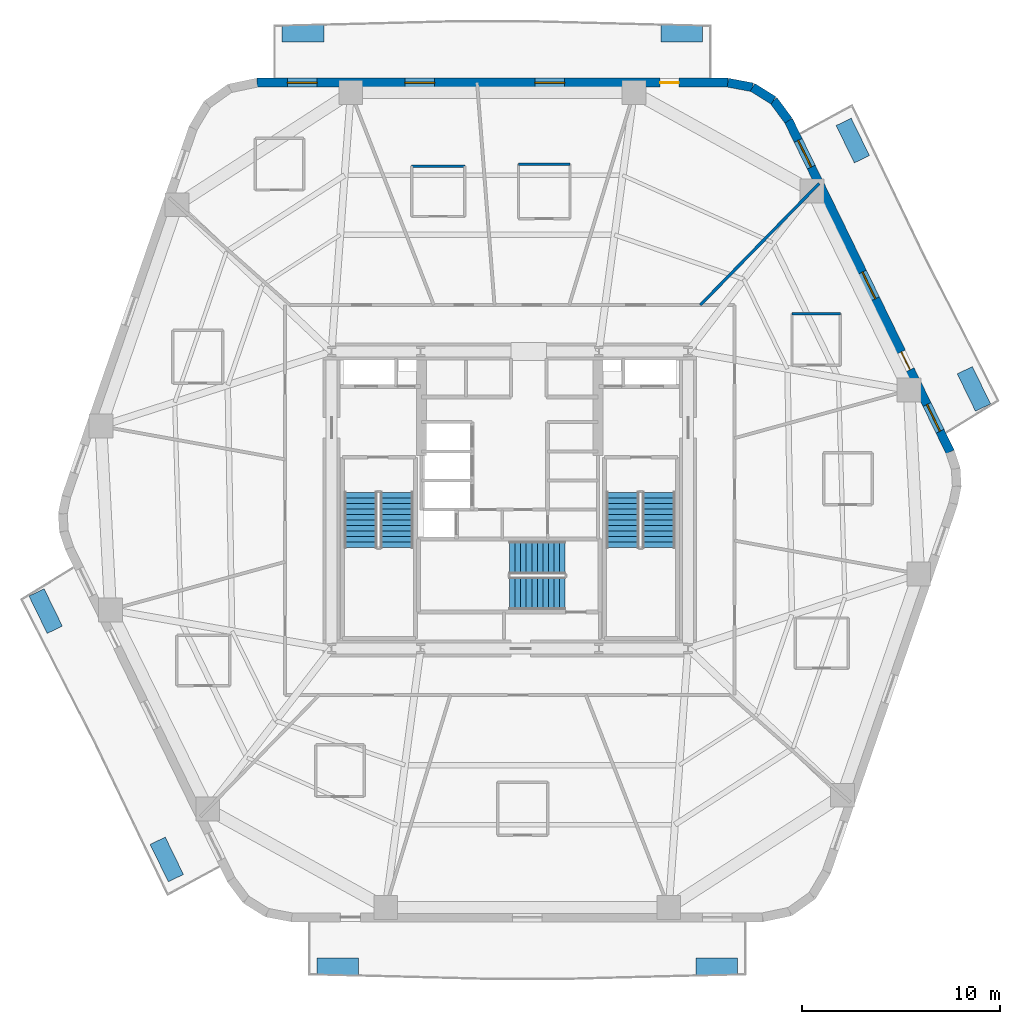
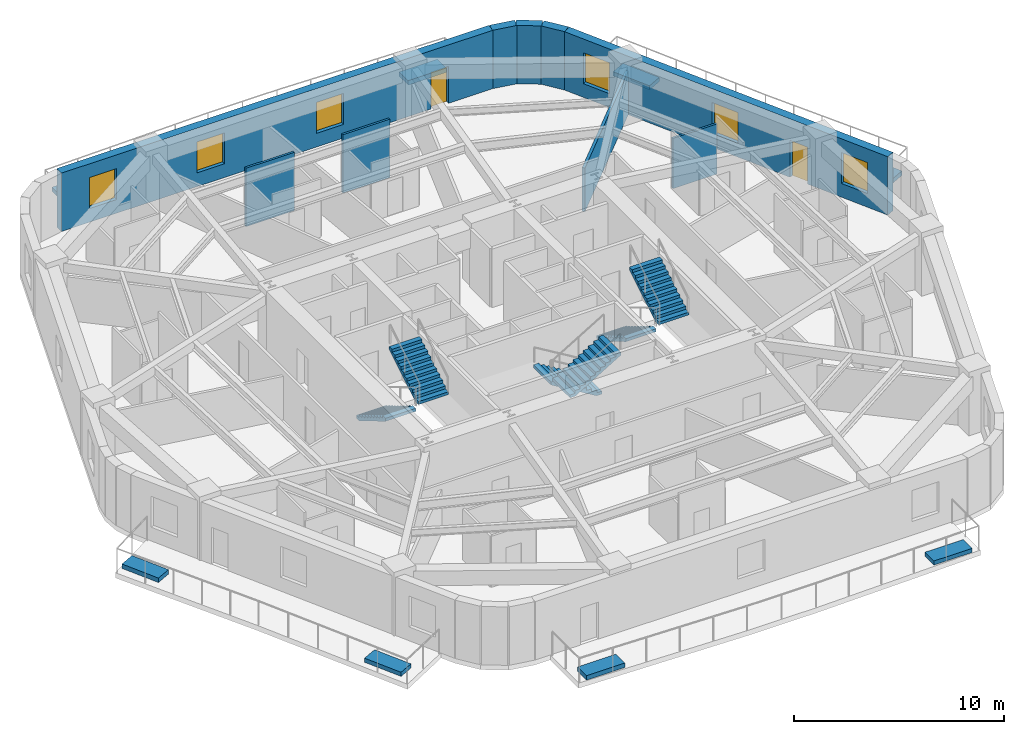
# One storey, part 6 of 9: 9 walls, 8 discrete accessories, 6 stair flights, 6 windows, 2 doors, 8 openings, 3 elements without a shape of their own.
"""IFC4 building model written with IfcOpenShell, lengths in metres."""

from ifc_helpers import new_model, si_unit, direction, frame, frame_2d, origin, origin_2d, place, context, subcontext, project, spatial, polyline, rectangle, outline, extrude, material, layer, layer_set, type_object, element, fill, aggregate, save


model = new_model("IFC4")

# Units and contexts
model_context = context("Model", 3, precision=1e-05, world=origin(), true_north=direction((0.0, 1.0)))
body_context = subcontext(model_context, "Body", "Model", "MODEL_VIEW")
ifc_project = project(units=[si_unit("LENGTHUNIT", "METRE"), si_unit("AREAUNIT", "SQUARE_METRE"), si_unit("VOLUMEUNIT", "CUBIC_METRE"), si_unit("PLANEANGLEUNIT", "RADIAN"), si_unit("MASSUNIT", "GRAM", prefix="KILO")], contexts=[model_context])

# Site, building, storey
site_placement = place(None, origin())
site = spatial("IfcSite", under=ifc_project, at=site_placement, CompositionType="ELEMENT")
building_placement = place(site_placement, origin())
building = spatial("IfcBuilding", under=site, at=building_placement, Name="Kilnhurst Terrace Hotel", CompositionType="ELEMENT")
storey_placement = place(building_placement, frame((0.0, 0.0, 124.699951171875)))
storey = spatial("IfcBuildingStorey", under=building, at=storey_placement, Name="L30", CompositionType="ELEMENT", Elevation=124.699951171875)

# Walls
ifc_material_1 = material(Name="Precast concrete C40/50", Category="concrete")
ifc_layer_1 = layer(ifc_material_1, 0.449951171875, Name="Precast concrete C40/50")
ifc_layer_set_1 = layer_set([ifc_layer_1], Name="Precast concrete C40/50")
wall_type_1 = type_object("IfcWallType", Name="WL-BRK-450", PredefinedType="SOLIDWALL", material=ifc_layer_set_1)
wall_1_placement = place(storey_placement, frame((14.07568359375, 19.16064453125, 0.0), z_axis=(0.0, 0.0, 1.0), x_axis=(-0.597226657159, 0.802072515412, 0.0)))
element("IfcWall", 1, at=wall_1_placement, inside=storey, type_object=wall_type_1, Name="L30 Rounded Corner Brick Wall C4.1", PredefinedType="SOLIDWALL", context=body_context, shape_type="SweptSolid", body=[
    extrude(rectangle(XDim=1.269287109375, YDim=0.449951171875, at=frame_2d((0.634765625, 0.0))), origin(), (0.0, 0.0, 1.0), 3.400146484375),
])
wall_2_placement = place(storey_placement, frame((13.317626953125, 20.1787109375, 0.0), z_axis=(0.0, 0.0, 1.0), x_axis=(-0.848031272749, 0.529946186362, 0.0)))
element("IfcWall", 2, at=wall_2_placement, inside=storey, type_object=wall_type_1, Name="L30 Rounded Corner Brick Wall C4.2", PredefinedType="SOLIDWALL", context=body_context, shape_type="SweptSolid", body=[
    extrude(rectangle(XDim=1.248046875, YDim=0.449951171875, at=frame_2d((0.6240234375, 0.0))), origin(), (0.0, 0.0, 1.0), 3.400146484375),
])
wall_3_placement = place(storey_placement, frame((12.25927734375, 20.840087890625, 0.0), z_axis=(0.0, 0.0, 1.0), x_axis=(-0.982730354425, 0.185043374624, 0.0)))
element("IfcWall", 3, at=wall_3_placement, inside=storey, type_object=wall_type_1, Name="L30 Rounded Corner Brick Wall C4.3", PredefinedType="SOLIDWALL", context=body_context, shape_type="SweptSolid", body=[
    extrude(rectangle(XDim=1.269287109375, YDim=0.449951171875, at=frame_2d((0.634765625, 0.0))), origin(), (0.0, 0.0, 1.0), 3.400146484375),
])

# Wall, openings, door, windows
wall_4_placement = place(storey_placement, frame((22.237548828125, 2.426513671875, 0.0), z_axis=(0.0, 0.0, 1.0), x_axis=(-0.438374803278, 0.898792262901, 0.0)))
wall_4 = element("IfcWall", 4, at=wall_4_placement, inside=storey, type_object=wall_type_1, Name="L30 Exterior Brick Facade Wall F3", PredefinedType="SOLIDWALL", context=body_context, shape_type="SweptSolid", body=[
    extrude(rectangle(XDim=18.618408203125, YDim=0.449951171875, at=frame_2d((9.30908203125, 0.0))), origin(), (0.0, 0.0, 1.0), 3.400146484375),
])
opening_1_placement = place(wall_4_placement, frame((4.6201171875, 0.0, 0.0)))
opening_1 = element("IfcOpeningElement", 5, at=opening_1_placement, cuts=wall_4, Name="Opening BD-1000", PredefinedType="OPENING", context=body_context, shape_type="SweptSolid", body=[
    extrude(rectangle(XDim=1.0, YDim=2.14990234375, at=frame_2d((0.5, 1.074951171875))), frame((0.0, 0.23486328125, 0.0), z_axis=(0.0, -1.0, 0.0), x_axis=(1.0, 0.0, 0.0)), (0.0, 0.0, 1.0), 0.469970703125),
])
opening_2_placement = place(wall_4_placement, frame((8.610107421875, 0.0, 0.800048828125)))
opening_2 = element("IfcOpeningElement", 6, at=opening_2_placement, cuts=wall_4, Name="Opening W-02", PredefinedType="OPENING", context=body_context, shape_type="SweptSolid", body=[
    extrude(rectangle(XDim=1.5, YDim=1.800048828125, at=frame_2d((0.75, 0.89990234375))), frame((0.0, 0.23486328125, 0.0), z_axis=(0.0, -1.0, 0.0), x_axis=(1.0, 0.0, 0.0)), (0.0, 0.0, 1.0), 0.469970703125),
])
opening_3_placement = place(wall_4_placement, frame((16.006103515625, 0.0, 0.800048828125)))
opening_3 = element("IfcOpeningElement", 7, at=opening_3_placement, cuts=wall_4, Name="Opening W-02", PredefinedType="OPENING", context=body_context, shape_type="SweptSolid", body=[
    extrude(rectangle(XDim=1.5, YDim=1.800048828125, at=frame_2d((0.75, 0.89990234375))), frame((0.0, 0.23486328125, 0.0), z_axis=(0.0, -1.0, 0.0), x_axis=(1.0, 0.0, 0.0)), (0.0, 0.0, 1.0), 0.469970703125),
])
opening_4_placement = place(wall_4_placement, frame((1.1630859375, 0.0, 0.800048828125)))
opening_4 = element("IfcOpeningElement", 8, at=opening_4_placement, cuts=wall_4, Name="Opening W-02", PredefinedType="OPENING", context=body_context, shape_type="SweptSolid", body=[
    extrude(rectangle(XDim=1.5, YDim=1.800048828125, at=frame_2d((0.75, 0.89990234375))), frame((0.0, 0.23486328125, 0.0), z_axis=(0.0, -1.0, 0.0), x_axis=(1.0, 0.0, 0.0)), (0.0, 0.0, 1.0), 0.469970703125),
])
ifc_material_2 = material(Name="Thermally Broken Bronze Aluminium Alloy 6063-T6 and Laminated Glass", Category="aluminium")
door_type_1 = type_object("IfcDoorType", Name="DR-EXT-BAL-1000", OperationType="NOTDEFINED", PredefinedType="DOOR", material=ifc_material_2)
door_1_placement = place(opening_1_placement, origin())
door_1 = element("IfcDoor", 9, at=door_1_placement, inside=storey, type_object=door_type_1, Name="L30 Planted Balcony Door BAL-L1A", OperationType="SINGLE_SWING_LEFT", OverallHeight=2.14990234375, OverallWidth=1.0, PredefinedType="DOOR", context=body_context, shape_type="SweptSolid", body=[
    extrude(rectangle(XDim=1.0, YDim=2.14990234375, at=frame_2d((0.5, 1.074951171875))), frame((0.0, 0.02490234375, 0.0), z_axis=(0.0, -1.0, 0.0), x_axis=(1.0, 0.0, 0.0)), (0.0, 0.0, 1.0), 0.050048828125),
])
fill(opening_1, door_1)
ifc_material_3 = material(Name="Thermally Broken Bronze Aluminium Alloy 6063-T6 and Low-E Glass", Category="aluminium")
window_type = type_object("IfcWindowType", Name="WIN-1500X1800", PartitioningType="SINGLE_PANEL", PredefinedType="WINDOW", material=ifc_material_3)
window_1_placement = place(opening_2_placement, origin())
window_1 = element("IfcWindow", 10, at=window_1_placement, inside=storey, type_object=window_type, Name="L30 Deep-Set Masonry Window F3.1", OverallHeight=1.800048828125, OverallWidth=1.5, PartitioningType="SINGLE_PANEL", PredefinedType="WINDOW", context=body_context, shape_type="SweptSolid", body=[
    extrude(rectangle(XDim=1.5, YDim=1.800048828125, at=frame_2d((0.75, 0.89990234375))), frame((0.0, 0.030029296875, 0.0), z_axis=(0.0, -1.0, 0.0), x_axis=(1.0, 0.0, 0.0)), (0.0, 0.0, 1.0), 0.06005859375),
])
fill(opening_2, window_1)
window_2_placement = place(opening_3_placement, origin())
window_2 = element("IfcWindow", 11, at=window_2_placement, inside=storey, type_object=window_type, Name="L30 Deep-Set Masonry Window F3.2", OverallHeight=1.800048828125, OverallWidth=1.5, PartitioningType="SINGLE_PANEL", PredefinedType="WINDOW", context=body_context, shape_type="SweptSolid", body=[
    extrude(rectangle(XDim=1.5, YDim=1.800048828125, at=frame_2d((0.75, 0.89990234375))), frame((0.0, 0.030029296875, 0.0), z_axis=(0.0, -1.0, 0.0), x_axis=(1.0, 0.0, 0.0)), (0.0, 0.0, 1.0), 0.06005859375),
])
fill(opening_3, window_2)
window_3_placement = place(opening_4_placement, origin())
window_3 = element("IfcWindow", 12, at=window_3_placement, inside=storey, type_object=window_type, Name="L30 Deep-Set Masonry Window F3.3", OverallHeight=1.800048828125, OverallWidth=1.5, PartitioningType="SINGLE_PANEL", PredefinedType="WINDOW", context=body_context, shape_type="SweptSolid", body=[
    extrude(rectangle(XDim=1.5, YDim=1.800048828125, at=frame_2d((0.75, 0.89990234375))), frame((0.0, 0.030029296875, 0.0), z_axis=(0.0, -1.0, 0.0), x_axis=(1.0, 0.0, 0.0)), (0.0, 0.0, 1.0), 0.06005859375),
])
fill(opening_4, window_3)

wall_5_placement = place(storey_placement, frame((11.011962890625, 21.074951171875, 0.0), z_axis=(0.0, 0.0, 1.0), x_axis=(-1.0, 0.0, 0.0)))
wall_5 = element("IfcWall", 13, at=wall_5_placement, inside=storey, type_object=wall_type_1, Name="L30 Exterior Brick Facade Wall F4", PredefinedType="SOLIDWALL", context=body_context, shape_type="SweptSolid", body=[
    extrude(rectangle(XDim=23.782470703125, YDim=0.449951171875, at=frame_2d((11.89111328125, 0.0))), origin(), (0.0, 0.0, 1.0), 3.400146484375),
])
opening_5_placement = place(wall_5_placement, frame((2.472900390625, 0.0, 0.0)))
opening_5 = element("IfcOpeningElement", 14, at=opening_5_placement, cuts=wall_5, Name="Opening BD-950", PredefinedType="OPENING", context=body_context, shape_type="SweptSolid", body=[
    extrude(rectangle(XDim=0.949951171875, YDim=2.14990234375, at=frame_2d((0.47509765625, 1.074951171875))), frame((0.0, 0.23486328125, 0.0), z_axis=(0.0, -1.0, 0.0), x_axis=(1.0, 0.0, 0.0)), (0.0, 0.0, 1.0), 0.469970703125),
])
opening_6_placement = place(wall_5_placement, frame((8.243896484375, 0.0, 0.800048828125)))
opening_6 = element("IfcOpeningElement", 15, at=opening_6_placement, cuts=wall_5, Name="Opening W-02", PredefinedType="OPENING", context=body_context, shape_type="SweptSolid", body=[
    extrude(rectangle(XDim=1.5, YDim=1.800048828125, at=frame_2d((0.75, 0.89990234375))), frame((0.0, 0.23486328125, 0.0), z_axis=(0.0, -1.0, 0.0), x_axis=(1.0, 0.0, 0.0)), (0.0, 0.0, 1.0), 0.469970703125),
])
opening_7_placement = place(wall_5_placement, frame((14.81103515625, 0.0, 0.800048828125)))
opening_7 = element("IfcOpeningElement", 16, at=opening_7_placement, cuts=wall_5, Name="Opening W-02", PredefinedType="OPENING", context=body_context, shape_type="SweptSolid", body=[
    extrude(rectangle(XDim=1.5, YDim=1.800048828125, at=frame_2d((0.75, 0.89990234375))), frame((0.0, 0.23486328125, 0.0), z_axis=(0.0, -1.0, 0.0), x_axis=(1.0, 0.0, 0.0)), (0.0, 0.0, 1.0), 0.469970703125),
])
opening_8_placement = place(wall_5_placement, frame((20.740966796875, 0.0, 0.800048828125)))
opening_8 = element("IfcOpeningElement", 17, at=opening_8_placement, cuts=wall_5, Name="Opening W-02", PredefinedType="OPENING", context=body_context, shape_type="SweptSolid", body=[
    extrude(rectangle(XDim=1.5, YDim=1.800048828125, at=frame_2d((0.75, 0.89990234375))), frame((0.0, 0.23486328125, 0.0), z_axis=(0.0, -1.0, 0.0), x_axis=(1.0, 0.0, 0.0)), (0.0, 0.0, 1.0), 0.469970703125),
])
door_type_2 = type_object("IfcDoorType", Name="DR-EXT-BAL-950", OperationType="NOTDEFINED", PredefinedType="DOOR", material=ifc_material_2)
door_2_placement = place(opening_5_placement, origin())
door_2 = element("IfcDoor", 18, at=door_2_placement, inside=storey, type_object=door_type_2, Name="L30 Planted Balcony Door BAL-L1B", OperationType="SINGLE_SWING_RIGHT", OverallHeight=2.14990234375, OverallWidth=0.949951171875, PredefinedType="DOOR", context=body_context, shape_type="SweptSolid", body=[
    extrude(rectangle(XDim=0.949951171875, YDim=2.14990234375, at=frame_2d((0.47509765625, 1.074951171875))), frame((0.0, 0.02490234375, 0.0), z_axis=(0.0, -1.0, 0.0), x_axis=(1.0, 0.0, 0.0)), (0.0, 0.0, 1.0), 0.050048828125),
])
fill(opening_5, door_2)
window_4_placement = place(opening_6_placement, origin())
window_4 = element("IfcWindow", 19, at=window_4_placement, inside=storey, type_object=window_type, Name="L30 Deep-Set Masonry Window F4.1", OverallHeight=1.800048828125, OverallWidth=1.5, PartitioningType="SINGLE_PANEL", PredefinedType="WINDOW", context=body_context, shape_type="SweptSolid", body=[
    extrude(rectangle(XDim=1.5, YDim=1.800048828125, at=frame_2d((0.75, 0.89990234375))), frame((0.0, 0.030029296875, 0.0), z_axis=(0.0, -1.0, 0.0), x_axis=(1.0, 0.0, 0.0)), (0.0, 0.0, 1.0), 0.06005859375),
])
fill(opening_6, window_4)
window_5_placement = place(opening_7_placement, origin())
window_5 = element("IfcWindow", 20, at=window_5_placement, inside=storey, type_object=window_type, Name="L30 Deep-Set Masonry Window F4.2", OverallHeight=1.800048828125, OverallWidth=1.5, PartitioningType="SINGLE_PANEL", PredefinedType="WINDOW", context=body_context, shape_type="SweptSolid", body=[
    extrude(rectangle(XDim=1.5, YDim=1.800048828125, at=frame_2d((0.75, 0.89990234375))), frame((0.0, 0.030029296875, 0.0), z_axis=(0.0, -1.0, 0.0), x_axis=(1.0, 0.0, 0.0)), (0.0, 0.0, 1.0), 0.06005859375),
])
fill(opening_7, window_5)
window_6_placement = place(opening_8_placement, origin())
window_6 = element("IfcWindow", 21, at=window_6_placement, inside=storey, type_object=window_type, Name="L30 Deep-Set Masonry Window F4.3", OverallHeight=1.800048828125, OverallWidth=1.5, PartitioningType="SINGLE_PANEL", PredefinedType="WINDOW", context=body_context, shape_type="SweptSolid", body=[
    extrude(rectangle(XDim=1.5, YDim=1.800048828125, at=frame_2d((0.75, 0.89990234375))), frame((0.0, 0.030029296875, 0.0), z_axis=(0.0, -1.0, 0.0), x_axis=(1.0, 0.0, 0.0)), (0.0, 0.0, 1.0), 0.06005859375),
])
fill(opening_8, window_6)

# Walls
ifc_material_4 = material(Name="STC-58 Acoustic Twin-Frame Guestroom Demising Partition")
ifc_layer_2 = layer(ifc_material_4, 0.14990234375, Name="STC-58 Acoustic Twin-Frame Guestroom Demising Partition")
ifc_layer_set_2 = layer_set([ifc_layer_2], Name="STC-58 Acoustic Twin-Frame Guestroom Demising Partition")
wall_type_2 = type_object("IfcWallType", Name="WL-DEM-150", PredefinedType="PARTITIONING", material=ifc_layer_set_2)
wall_6_placement = place(storey_placement, frame((9.6279296875, 9.85009765625, 0.0), z_axis=(0.0, 0.0, 1.0), x_axis=(0.698992824326, 0.715128681805, 0.0)))
element("IfcWall", 22, at=wall_6_placement, inside=storey, type_object=wall_type_2, Name="L30 Interior Wall WL-L30-DEM-COL02-02-1", PredefinedType="PARTITIONING", context=body_context, shape_type="SweptSolid", body=[
    extrude(rectangle(XDim=8.578857421875, YDim=0.14990234375, at=frame_2d((4.28955078125, 0.0))), origin(), (0.0, 0.0, 1.0), 2.5400390625),
])
ifc_material_5 = material(Name="120 mm Moisture-Resistant Tile-Backed Bathroom Partition")
ifc_layer_3 = layer(ifc_material_5, 0.1201171875, Name="120 mm Moisture-Resistant Tile-Backed Bathroom Partition")
ifc_layer_set_3 = layer_set([ifc_layer_3], Name="120 mm Moisture-Resistant Tile-Backed Bathroom Partition")
wall_type_3 = type_object("IfcWallType", Name="WL-PART-120", PredefinedType="PARTITIONING", material=ifc_layer_set_3)
wall_7_placement = place(storey_placement, frame((16.695068359375, 9.409912109375, 0.0), z_axis=(0.0, 0.0, 1.0), x_axis=(-1.0, 0.0, 0.0)))
element("IfcWall", 23, at=wall_7_placement, inside=storey, type_object=wall_type_3, Name="L30 Interior Wall WL-L30-BTH-01-3", PredefinedType="PARTITIONING", context=body_context, shape_type="SweptSolid", body=[
    extrude(rectangle(XDim=2.440185546875, YDim=0.1201171875, at=frame_2d((1.22021484375, 0.0))), origin(), (0.0, 0.0, 1.0), 2.926513671875),
])
wall_8_placement = place(storey_placement, frame((3.041015625, 16.9619140625, 0.0), z_axis=(0.0, 0.0, 1.0), x_axis=(-1.0, 0.0, 0.0)))
element("IfcWall", 24, at=wall_8_placement, inside=storey, type_object=wall_type_3, Name="L30 Interior Wall WL-L30-BTH-03-3", PredefinedType="PARTITIONING", context=body_context, shape_type="SweptSolid", body=[
    extrude(rectangle(XDim=2.60009765625, YDim=0.1201171875, at=frame_2d((1.300048828125, 0.0))), origin(), (0.0, 0.0, 1.0), 3.400146484375),
])
wall_9_placement = place(storey_placement, frame((-2.27392578125, 16.85693359375, 0.0), z_axis=(0.0, 0.0, 1.0), x_axis=(-1.0, 0.0, 0.0)))
element("IfcWall", 25, at=wall_9_placement, inside=storey, type_object=wall_type_3, Name="L30 Interior Wall WL-L30-BTH-04-3", PredefinedType="PARTITIONING", context=body_context, shape_type="SweptSolid", body=[
    extrude(rectangle(XDim=2.68017578125, YDim=0.1201171875, at=frame_2d((1.340087890625, 0.0))), origin(), (0.0, 0.0, 1.0), 3.400146484375),
])

# Stair, stair flights
ifc_material_6 = material(Name="Concrete C50/60", Category="concrete")
stair_type = type_object("IfcStairType", Name="STR-CORE-1660", PredefinedType="HALF_TURN_STAIR", material=ifc_material_6)
stair_1_placement = place(storey_placement, origin())
stair_1 = element("IfcStair", 26, at=stair_1_placement, inside=storey, type_object=stair_type, Name="L30 ST-1", PredefinedType="HALF_TURN_STAIR")
stair_flight_type = type_object("IfcStairFlightType", Name="FLT-RC-1660", PredefinedType="STRAIGHT", material=ifc_material_6)
stair_flight_1_placement = place(storey_placement, frame((-7.52001953125, 0.389892578125, 0.0), z_axis=(0.0, 0.0, 1.0), x_axis=(0.0, -1.0, 0.0)))
stair_flight_1 = element("IfcStairFlight", 27, at=stair_flight_1_placement, type_object=stair_flight_type, Name="ST-1 flight 1", NumberOfRisers=11, NumberOfTreads=10, PredefinedType="STRAIGHT", RiserHeight=0.168181818, TreadLength=0.28, context=body_context, shape_type="SweptSolid", body=[
    extrude(outline(polyline([(0.0, 0.0), (0.0, 0.168212890625), (0.280029296875, 0.168212890625), (0.280029296875, 0.33642578125), (0.56005859375, 0.33642578125), (0.56005859375, 0.504638671875), (0.840087890625, 0.504638671875), (0.840087890625, 0.672607421875), (1.1201171875, 0.672607421875), (1.1201171875, 0.8408203125), (1.39990234375, 0.8408203125), (1.39990234375, 1.009033203125), (1.679931640625, 1.009033203125), (1.679931640625, 1.17724609375), (1.9599609375, 1.17724609375), (1.9599609375, 1.345458984375), (2.239990234375, 1.345458984375), (2.239990234375, 1.513671875), (2.52001953125, 1.513671875), (2.52001953125, 1.681884765625), (2.800048828125, 1.681884765625), (2.800048828125, 1.85009765625), (2.800048828125, 1.5068359375), (0.291015625, 0.0), (0.0, 0.0)])), frame((0.0, 0.830078125, 0.0), z_axis=(0.0, -1.0, 0.0), x_axis=(1.0, 0.0, 0.0)), (0.0, 0.0, 1.0), 1.659912109375),
])
stair_flight_2_placement = place(storey_placement, frame((-5.7099609375, -2.409912109375, 1.85009765625), z_axis=(0.0, 0.0, 1.0), x_axis=(0.0, 1.0, 0.0)))
stair_flight_2 = element("IfcStairFlight", 28, at=stair_flight_2_placement, type_object=stair_flight_type, Name="ST-1 flight 2", NumberOfRisers=11, NumberOfTreads=10, PredefinedType="STRAIGHT", RiserHeight=0.168181818, TreadLength=0.28, context=body_context, shape_type="SweptSolid", body=[
    extrude(outline(polyline([(0.0, 0.0), (0.0, 0.168212890625), (0.280029296875, 0.168212890625), (0.280029296875, 0.33642578125), (0.56005859375, 0.33642578125), (0.56005859375, 0.504638671875), (0.840087890625, 0.504638671875), (0.840087890625, 0.672607421875), (1.1201171875, 0.672607421875), (1.1201171875, 0.8408203125), (1.39990234375, 0.8408203125), (1.39990234375, 1.009033203125), (1.679931640625, 1.009033203125), (1.679931640625, 1.17724609375), (1.9599609375, 1.17724609375), (1.9599609375, 1.345458984375), (2.239990234375, 1.345458984375), (2.239990234375, 1.513671875), (2.52001953125, 1.513671875), (2.52001953125, 1.681884765625), (2.800048828125, 1.681884765625), (2.800048828125, 1.85009765625), (2.800048828125, 1.5068359375), (0.291015625, 0.0), (0.0, 0.0)])), frame((0.0, 0.830078125, 0.0), z_axis=(0.0, -1.0, 0.0), x_axis=(1.0, 0.0, 0.0)), (0.0, 0.0, 1.0), 1.659912109375),
])
aggregate(stair_1, [stair_flight_1, stair_flight_2])

stair_2_placement = place(storey_placement, origin())
stair_2 = element("IfcStair", 29, at=stair_2_placement, inside=storey, type_object=stair_type, Name="L30 ST-2", PredefinedType="HALF_TURN_STAIR")
stair_flight_3_placement = place(storey_placement, frame((5.7099609375, 0.389892578125, 0.0), z_axis=(0.0, 0.0, 1.0), x_axis=(0.0, -1.0, 0.0)))
stair_flight_3 = element("IfcStairFlight", 30, at=stair_flight_3_placement, type_object=stair_flight_type, Name="ST-2 flight 1", NumberOfRisers=11, NumberOfTreads=10, PredefinedType="STRAIGHT", RiserHeight=0.168181818, TreadLength=0.28, context=body_context, shape_type="SweptSolid", body=[
    extrude(outline(polyline([(0.0, 0.0), (0.0, 0.168212890625), (0.280029296875, 0.168212890625), (0.280029296875, 0.33642578125), (0.56005859375, 0.33642578125), (0.56005859375, 0.504638671875), (0.840087890625, 0.504638671875), (0.840087890625, 0.672607421875), (1.1201171875, 0.672607421875), (1.1201171875, 0.8408203125), (1.39990234375, 0.8408203125), (1.39990234375, 1.009033203125), (1.679931640625, 1.009033203125), (1.679931640625, 1.17724609375), (1.9599609375, 1.17724609375), (1.9599609375, 1.345458984375), (2.239990234375, 1.345458984375), (2.239990234375, 1.513671875), (2.52001953125, 1.513671875), (2.52001953125, 1.681884765625), (2.800048828125, 1.681884765625), (2.800048828125, 1.85009765625), (2.800048828125, 1.5068359375), (0.291015625, 0.0), (0.0, 0.0)])), frame((0.0, 0.830078125, 0.0), z_axis=(0.0, -1.0, 0.0), x_axis=(1.0, 0.0, 0.0)), (0.0, 0.0, 1.0), 1.659912109375),
])
stair_flight_4_placement = place(storey_placement, frame((7.52001953125, -2.409912109375, 1.85009765625), z_axis=(0.0, 0.0, 1.0), x_axis=(0.0, 1.0, 0.0)))
stair_flight_4 = element("IfcStairFlight", 31, at=stair_flight_4_placement, type_object=stair_flight_type, Name="ST-2 flight 2", NumberOfRisers=11, NumberOfTreads=10, PredefinedType="STRAIGHT", RiserHeight=0.168181818, TreadLength=0.28, context=body_context, shape_type="SweptSolid", body=[
    extrude(outline(polyline([(0.0, 0.0), (0.0, 0.168212890625), (0.280029296875, 0.168212890625), (0.280029296875, 0.33642578125), (0.56005859375, 0.33642578125), (0.56005859375, 0.504638671875), (0.840087890625, 0.504638671875), (0.840087890625, 0.672607421875), (1.1201171875, 0.672607421875), (1.1201171875, 0.8408203125), (1.39990234375, 0.8408203125), (1.39990234375, 1.009033203125), (1.679931640625, 1.009033203125), (1.679931640625, 1.17724609375), (1.9599609375, 1.17724609375), (1.9599609375, 1.345458984375), (2.239990234375, 1.345458984375), (2.239990234375, 1.513671875), (2.52001953125, 1.513671875), (2.52001953125, 1.681884765625), (2.800048828125, 1.681884765625), (2.800048828125, 1.85009765625), (2.800048828125, 1.5068359375), (0.291015625, 0.0), (0.0, 0.0)])), frame((0.0, 0.830078125, 0.0), z_axis=(0.0, -1.0, 0.0), x_axis=(1.0, 0.0, 0.0)), (0.0, 0.0, 1.0), 1.659912109375),
])
aggregate(stair_2, [stair_flight_3, stair_flight_4])

stair_3_placement = place(storey_placement, origin())
stair_3 = element("IfcStair", 32, at=stair_3_placement, inside=storey, type_object=stair_type, Name="L30 ST-3", PredefinedType="HALF_TURN_STAIR")
stair_flight_5_placement = place(storey_placement, frame((2.7900390625, -2.909912109375, 0.0), z_axis=(0.0, 0.0, 1.0), x_axis=(-1.0, 0.0, 0.0)))
stair_flight_5 = element("IfcStairFlight", 33, at=stair_flight_5_placement, type_object=stair_flight_type, Name="ST-3 flight 1", NumberOfRisers=11, NumberOfTreads=10, PredefinedType="STRAIGHT", RiserHeight=0.168181818, TreadLength=0.28, context=body_context, shape_type="SweptSolid", body=[
    extrude(outline(polyline([(0.0, 0.0), (0.0, 0.168212890625), (0.280029296875, 0.168212890625), (0.280029296875, 0.33642578125), (0.56005859375, 0.33642578125), (0.56005859375, 0.504638671875), (0.840087890625, 0.504638671875), (0.840087890625, 0.672607421875), (1.1201171875, 0.672607421875), (1.1201171875, 0.8408203125), (1.39990234375, 0.8408203125), (1.39990234375, 1.009033203125), (1.679931640625, 1.009033203125), (1.679931640625, 1.17724609375), (1.9599609375, 1.17724609375), (1.9599609375, 1.345458984375), (2.239990234375, 1.345458984375), (2.239990234375, 1.513671875), (2.52001953125, 1.513671875), (2.52001953125, 1.681884765625), (2.800048828125, 1.681884765625), (2.800048828125, 1.85009765625), (2.800048828125, 1.5068359375), (0.291015625, 0.0), (0.0, 0.0)])), frame((0.0, 0.830078125, 0.0), z_axis=(0.0, -1.0, 0.0), x_axis=(1.0, 0.0, 0.0)), (0.0, 0.0, 1.0), 1.659912109375),
])
stair_flight_6_placement = place(storey_placement, frame((-0.010009765625, -4.719970703125, 1.85009765625), z_axis=(0.0, 0.0, 1.0), x_axis=(1.0, 0.0, 0.0)))
stair_flight_6 = element("IfcStairFlight", 34, at=stair_flight_6_placement, type_object=stair_flight_type, Name="ST-3 flight 2", NumberOfRisers=11, NumberOfTreads=10, PredefinedType="STRAIGHT", RiserHeight=0.168181818, TreadLength=0.28, context=body_context, shape_type="SweptSolid", body=[
    extrude(outline(polyline([(0.0, 0.0), (0.0, 0.168212890625), (0.280029296875, 0.168212890625), (0.280029296875, 0.33642578125), (0.56005859375, 0.33642578125), (0.56005859375, 0.504638671875), (0.840087890625, 0.504638671875), (0.840087890625, 0.672607421875), (1.1201171875, 0.672607421875), (1.1201171875, 0.8408203125), (1.39990234375, 0.8408203125), (1.39990234375, 1.009033203125), (1.679931640625, 1.009033203125), (1.679931640625, 1.17724609375), (1.9599609375, 1.17724609375), (1.9599609375, 1.345458984375), (2.239990234375, 1.345458984375), (2.239990234375, 1.513671875), (2.52001953125, 1.513671875), (2.52001953125, 1.681884765625), (2.800048828125, 1.681884765625), (2.800048828125, 1.85009765625), (2.800048828125, 1.5068359375), (0.291015625, 0.0), (0.0, 0.0)])), frame((0.0, 0.830078125, 0.0), z_axis=(0.0, -1.0, 0.0), x_axis=(1.0, 0.0, 0.0)), (0.0, 0.0, 1.0), 1.659912109375),
])
aggregate(stair_3, [stair_flight_5, stair_flight_6])

# Discrete accessories
ifc_material_7 = material(Name="Precast Concrete C40/50 Shrub Planter", Category="concrete")
discrete_accessory_type_1 = type_object("IfcDiscreteAccessoryType", Name="PLN-SHRUB-240", PredefinedType="USERDEFINED", material=ifc_material_7)
for number, where, z_axis, x_axis, name in (
    (35, (17.321044921875, 18.15234375, 0.0), (0.0, 0.0, 1.0), (-0.438386833638, 0.898786395142, 0.0), "L30 Structural Tree Planter Box PLANTER BAL-L1A.2"),
    (36, (-10.443603515625, 23.550048828125, 0.0), (0.0, 0.0, 1.0), (-1.0, 0.0, 0.0), "L30 Structural Tree Planter Box PLANTER BAL-L1B.2"),
    (37, (-17.321044921875, -18.15234375, 0.0), (0.0, 0.0, 1.0), (0.438386833638, -0.898786395142, 0.0), "L30 Structural Tree Planter Box PLANTER BAL-L2A.2"),
    (38, (10.443603515625, -23.550048828125, 0.0), (0.0, 0.0, 1.0), (1.0, 0.0, 0.0), "L30 Structural Tree Planter Box PLANTER BAL-L2B.2"),
):
    element("IfcDiscreteAccessory", number, at=place(storey_placement, frame(where, z_axis=z_axis, x_axis=x_axis)), inside=storey, type_object=discrete_accessory_type_1, Name=name, ObjectType="PLANTER", PredefinedType="USERDEFINED", context=body_context, shape_type="SweptSolid", body=[
        extrude(rectangle(XDim=2.10009765625, YDim=0.85009765625, at=origin_2d()), origin(), (0.0, 0.0, 1.0), 0.239990234375),
    ])
ifc_material_8 = material(Name="Precast Concrete C40/50 Tree Planter", Category="concrete")
discrete_accessory_type_2 = type_object("IfcDiscreteAccessoryType", Name="PLN-TREE-260", PredefinedType="USERDEFINED", material=ifc_material_8)
for number, where, z_axis, x_axis, name in (
    (39, (23.4384765625, 5.6103515625, 0.0), (0.0, 0.0, 1.0), (-0.438386833638, 0.898786395142, 0.0), "L30 Structural Tree Planter Box PLANTER BAL-L1A.1"),
    (40, (8.68310546875, 23.550048828125, 0.0), (0.0, 0.0, 1.0), (-1.0, 0.0, 0.0), "L30 Structural Tree Planter Box PLANTER BAL-L1B.1"),
    (41, (-23.4384765625, -5.6103515625, 0.0), (0.0, 0.0, 1.0), (0.438386833638, -0.898786395142, 0.0), "L30 Structural Tree Planter Box PLANTER BAL-L2A.1"),
    (42, (-8.68310546875, -23.550048828125, 0.0), (0.0, 0.0, 1.0), (1.0, 0.0, 0.0), "L30 Structural Tree Planter Box PLANTER BAL-L2B.1"),
):
    element("IfcDiscreteAccessory", number, at=place(storey_placement, frame(where, z_axis=z_axis, x_axis=x_axis)), inside=storey, type_object=discrete_accessory_type_2, Name=name, ObjectType="PLANTER", PredefinedType="USERDEFINED", context=body_context, shape_type="SweptSolid", body=[
        extrude(rectangle(XDim=2.10009765625, YDim=0.85009765625, at=origin_2d()), origin(), (0.0, 0.0, 1.0), 0.260009765625),
    ])

save(model, "model.ifc")
